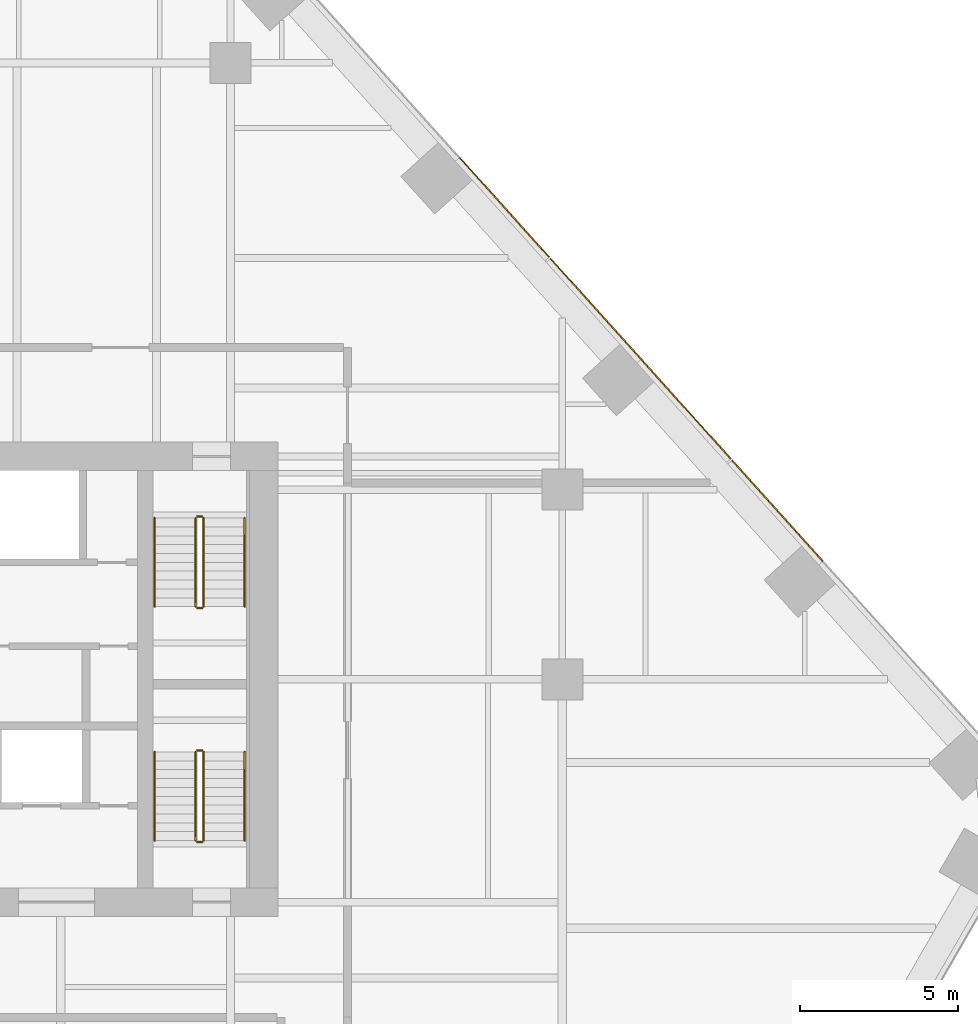
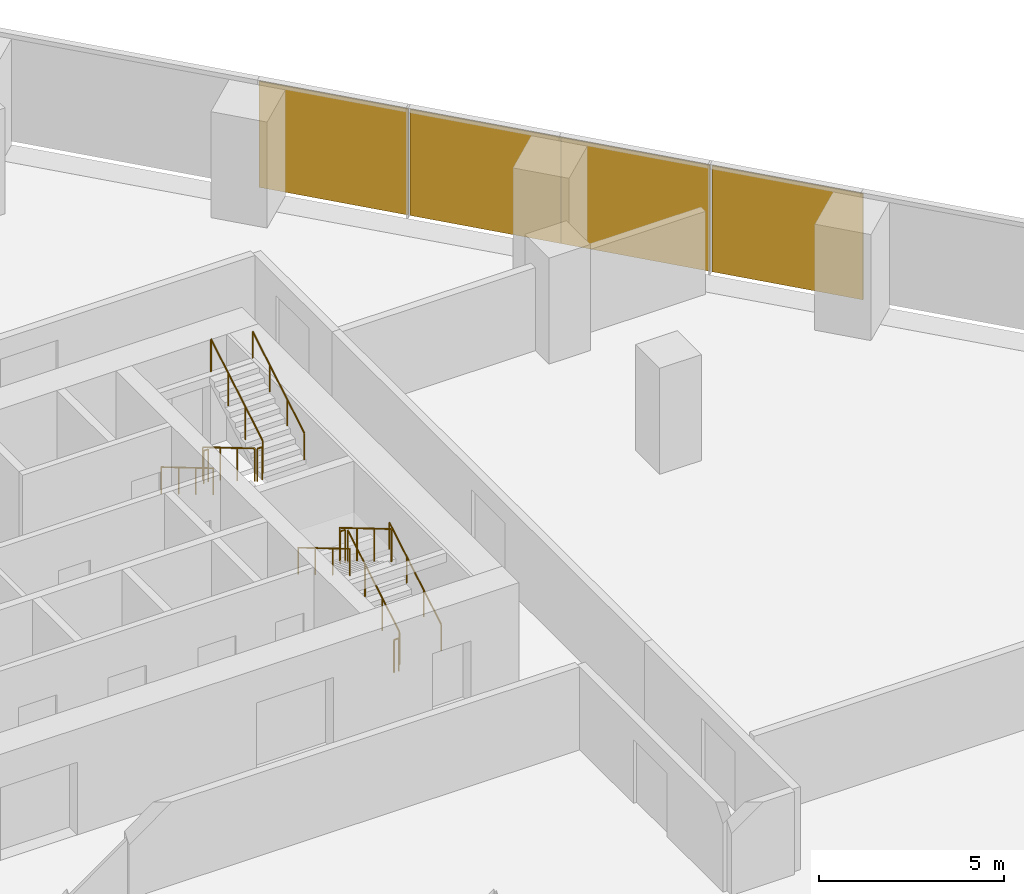
# One storey, part 19 of 19: 12 railings, 4 coverings, 1 element without a shape of its own.
"""IFC4 building model written with IfcOpenShell, lengths in metres."""

import ifcopenshell
import ifcopenshell.guid

model = None  # the IFC model being written
_history = None  # IfcOwnerHistory: only IFC2X3 demands one
_inside = {}  # id of a spatial element -> (the spatial element, [elements in it])
_under = {}  # id of a project, library or spatial element -> (it, [spatial elements below it])
_declared = {}  # id of a project -> (the project, [libraries it declares])
_typed = {}  # id of a type object -> (the type object, [elements of that type])
_made_of = {}  # id of a material, layer set ... -> (it, [elements and type objects made of it])


def new_model(schema):
    """Start an empty IFC model of exactly this schema.

    Asked for "IFC4X3", IfcOpenShell would pick the latest addendum, in which some entities
    have other attributes; the version numbers below select the first issue.
    IFC2X3 requires an IfcOwnerHistory on every rooted entity: one is made here for all.
    """
    global model, _history
    if schema == "IFC4X3":
        model = ifcopenshell.file(schema_version=(4, 3, 0, 0))
    else:
        model = ifcopenshell.file(schema=schema)
    _inside.clear()
    _under.clear()
    _declared.clear()
    _typed.clear()
    _made_of.clear()
    _history = None
    if model.schema == "IFC2X3":
        org = make("IfcOrganization", Name="unknown")
        user = make(
            "IfcPersonAndOrganization",
            ThePerson=make("IfcPerson", FamilyName="unknown"),
            TheOrganization=org,
        )
        app = make(
            "IfcApplication",
            ApplicationDeveloper=org,
            Version="unknown",
            ApplicationFullName="unknown",
            ApplicationIdentifier="unknown",
        )
        _history = make(
            "IfcOwnerHistory",
            OwningUser=user,
            OwningApplication=app,
            ChangeAction="ADDED",
            CreationDate=0,
        )
    return model


def make(cls, **values):
    """One entity of the class cls with the attributes given. An attribute that is None is left unset."""
    return model.create_entity(
        cls, **{name: value for name, value in values.items() if value is not None}
    )


def rooted(cls, **values):
    """An entity with a GlobalId (a new one), such as an element, a storey or a relation."""
    return make(cls, GlobalId=ifcopenshell.guid.new(), OwnerHistory=_history, **values)


def si_unit(unit_type, name, prefix=None):
    """IfcSIUnit, for example si_unit("LENGTHUNIT", "METRE", prefix="MILLI")."""
    return make("IfcSIUnit", UnitType=unit_type, Prefix=prefix, Name=name)


def assignment(units):
    """IfcUnitAssignment: the units of a project."""
    return None if units is None else make("IfcUnitAssignment", Units=units)


def point(xyz):
    """IfcCartesianPoint."""
    return None if xyz is None else make("IfcCartesianPoint", Coordinates=xyz)


def direction(xyz):
    """IfcDirection."""
    return None if xyz is None else make("IfcDirection", DirectionRatios=xyz)


def frame(location, z_axis=None, x_axis=None):
    """IfcAxis2Placement3D, a coordinate frame: its origin and axes. An axis left out is left unset."""
    return make(
        "IfcAxis2Placement3D",
        Location=point(location),
        Axis=direction(z_axis),
        RefDirection=direction(x_axis),
    )


def frame_2d(location, x_axis=None):
    """IfcAxis2Placement2D, a coordinate frame in the plane: its origin and x axis."""
    return make(
        "IfcAxis2Placement2D", Location=point(location), RefDirection=direction(x_axis)
    )


def origin():
    """The frame at (0, 0, 0) with its axes left unset."""
    return frame((0.0, 0.0, 0.0))


def origin_2d():
    """The frame at (0, 0) in the plane with its x axis left unset."""
    return frame_2d((0.0, 0.0))


def place(relative_to, where):
    """IfcLocalPlacement: puts the frame where relative to a parent placement (None: the world)."""
    return make(
        "IfcLocalPlacement", PlacementRelTo=relative_to, RelativePlacement=where
    )


def context(
    kind, dimensions, precision=None, world=None, true_north=None, identifier=None
):
    """IfcGeometricRepresentationContext, for example the 3D "Model" context."""
    return make(
        "IfcGeometricRepresentationContext",
        ContextIdentifier=identifier,
        ContextType=kind,
        CoordinateSpaceDimension=dimensions,
        Precision=precision,
        WorldCoordinateSystem=world,
        TrueNorth=true_north,
    )


def subcontext(parent, identifier, kind, view, scale=None):
    """IfcGeometricRepresentationSubContext, for example "Body" below "Model"."""
    return make(
        "IfcGeometricRepresentationSubContext",
        ContextIdentifier=identifier,
        ContextType=kind,
        ParentContext=parent,
        TargetScale=scale,
        TargetView=view,
    )


def project(units=None, contexts=None):
    """IfcProject with its units and contexts."""
    return rooted(
        "IfcProject",
        Name="project",
        RepresentationContexts=contexts,
        UnitsInContext=assignment(units),
    )


def spatial(cls, under=None, at=None, **own):
    """A site, building, storey or space (cls), placed at a placement, below another one or the project."""
    s = rooted(cls, ObjectPlacement=at, **own)
    if under is not None:
        _under.setdefault(under.id(), (under, []))[1].append(s)
    return s


def profile(cls, at=None, kind="AREA", **sizes):
    """A parametric profile (cls). Its sizes go by their IFC names, for example OverallWidth=200.0."""
    return make(cls, ProfileType=kind, Position=at, **sizes)


def rectangle(**sizes):
    """IfcRectangleProfileDef."""
    return profile("IfcRectangleProfileDef", **sizes)


def circle(**sizes):
    """IfcCircleProfileDef."""
    return profile("IfcCircleProfileDef", **sizes)


def extrude(swept, where, along, depth):
    """IfcExtrudedAreaSolid: the profile swept, set in the frame where, extruded along a direction by depth."""
    return make(
        "IfcExtrudedAreaSolid",
        SweptArea=swept,
        Position=where,
        ExtrudedDirection=direction(along),
        Depth=depth,
    )


def shape(context_of_items, identifier, shape_type, items):
    """IfcShapeRepresentation: the items that make up one representation, for example the "Body"."""
    return make(
        "IfcShapeRepresentation",
        ContextOfItems=context_of_items,
        RepresentationIdentifier=identifier,
        RepresentationType=shape_type,
        Items=items,
    )


def material(Name=None, Category=None):
    """IfcMaterial."""
    return make("IfcMaterial", Name=Name, Category=Category)


def layer(
    of_material, thickness, ventilated=None, Name=None, Category=None, Priority=None
):
    """IfcMaterialLayer: one layer of a wall or slab, of a material (None: an air gap)."""
    return make(
        "IfcMaterialLayer",
        Material=of_material,
        LayerThickness=thickness,
        IsVentilated=ventilated,
        Name=Name,
        Category=Category,
        Priority=Priority,
    )


def layer_set(layers, Name=None):
    """IfcMaterialLayerSet."""
    return make("IfcMaterialLayerSet", MaterialLayers=layers, LayerSetName=Name)


def made_of(thing, what):
    """Note that an element or type object is made of a material, layer set ...; save() writes the relation."""
    if what is not None:
        _made_of.setdefault(what.id(), (what, []))[1].append(thing)
    return thing


def type_object(cls, material=None, **own):
    """A type object (cls), such as IfcWallType, which elements share."""
    return made_of(rooted(cls, **own), material)


def element(
    cls,
    number,
    at=None,
    inside=None,
    cuts=None,
    type_object=None,
    material=None,
    context=None,
    identifier="Body",
    shape_type=None,
    held_by="IfcProductDefinitionShape",
    body=None,
    shapes=None,
    **own,
):
    """One element of the class cls, such as IfcWall. Its Tag is "e" and its number.

    at: its placement. inside: the storey or other place that contains it. cuts: it is an
    opening in that element (IfcRelVoidsElement). A single representation is given by context,
    identifier, shape_type and body (its items); several are given by shapes. held_by: the class
    of the entity that holds the representations. save() writes the other relations.
    """
    e = rooted(cls, Tag="e%d" % number, ObjectPlacement=at, **own)
    if body is not None:
        shapes = [shape(context, identifier, shape_type, body)]
    if shapes is not None:
        e.Representation = make(held_by, Representations=shapes)
    if inside is not None:
        _inside.setdefault(inside.id(), (inside, []))[1].append(e)
    if cuts is not None:
        rooted(
            "IfcRelVoidsElement", RelatingBuildingElement=cuts, RelatedOpeningElement=e
        )
    if type_object is not None:
        _typed.setdefault(type_object.id(), (type_object, []))[1].append(e)
    return made_of(e, material)


def aggregate(whole, parts):
    """IfcRelAggregates: a whole, such as a stair, and the parts it consists of."""
    return rooted("IfcRelAggregates", RelatingObject=whole, RelatedObjects=parts)


def save(model, path):
    """Write the relations noted so far, then the file.

    IfcRelAggregates (storeys below a building ...), IfcRelContainedInSpatialStructure (elements
    in a storey), IfcRelDefinesByType, IfcRelAssociatesMaterial and IfcRelDeclares: one each for
    every whole, place, type object, material and project.
    """
    for whole, parts in _under.values():
        aggregate(whole, parts)
    for where, things in _inside.values():
        rooted(
            "IfcRelContainedInSpatialStructure",
            RelatedElements=things,
            RelatingStructure=where,
        )
    for kind, things in _typed.values():
        rooted("IfcRelDefinesByType", RelatedObjects=things, RelatingType=kind)
    for what, things in _made_of.values():
        rooted("IfcRelAssociatesMaterial", RelatedObjects=things, RelatingMaterial=what)
    for by, libraries in _declared.values():
        rooted("IfcRelDeclares", RelatingContext=by, RelatedDefinitions=libraries)
    model.write(path)


model = new_model("IFC4")

# Units and contexts
model_context = context("Model", 3, precision=1e-05, world=origin(), true_north=direction((0.0, 1.0)))
body_context = subcontext(model_context, "Body", "Model", "MODEL_VIEW")
ifc_project = project(units=[si_unit("LENGTHUNIT", "METRE"), si_unit("AREAUNIT", "SQUARE_METRE"), si_unit("VOLUMEUNIT", "CUBIC_METRE"), si_unit("PLANEANGLEUNIT", "RADIAN"), si_unit("MASSUNIT", "GRAM", prefix="KILO")], contexts=[model_context])

# Site, building, storey
site_placement = place(None, origin())
site = spatial("IfcSite", under=ifc_project, at=site_placement, CompositionType="ELEMENT")
building_placement = place(site_placement, origin())
building = spatial("IfcBuilding", under=site, at=building_placement, Name="Isthmus Gate Tower", CompositionType="ELEMENT")
storey_placement = place(building_placement, frame((0.0, 0.0, 95.25)))
storey = spatial("IfcBuildingStorey", under=building, at=storey_placement, Name="L22", CompositionType="ELEMENT", Elevation=95.25)

# Curtain wall, coverings
ifc_material_1 = material(Name="Aluminium, pale champagne anodised", Category="aluminium")
ifc_layer_1 = layer(ifc_material_1, 0.199951171875)
ifc_layer_set_1 = layer_set([ifc_layer_1], Name="CW-1 UNITISED CURTAIN WALL 200 DEEP")
curtain_wall_type = type_object("IfcCurtainWallType", Name="CW-1 UNITISED CURTAIN WALL 200 DEEP", PredefinedType="NOTDEFINED", material=ifc_layer_set_1)
curtain_wall_placement = place(storey_placement, origin())
curtain_wall = element("IfcCurtainWall", 1, at=curtain_wall_placement, inside=storey, type_object=curtain_wall_type, Name="CW-1 NE L22", PredefinedType="NOTDEFINED")
ifc_material_2 = material(Name="Aluminium composite panel, pale champagne anodised", Category="aluminium")
ifc_layer_2 = layer(ifc_material_2, 0.0400390625)
ifc_layer_set_2 = layer_set([ifc_layer_2], Name="CW-1 PALE METAL PANEL 40")
covering_type = type_object("IfcCoveringType", Name="CW-1 PALE METAL PANEL 40", PredefinedType="CLADDING", material=ifc_layer_set_2)
covering_1_placement = place(storey_placement, frame((30.80419921875, 12.835693359375, 0.0), z_axis=(0.0, 0.0, 1.0), x_axis=(-0.669130606359, 0.743144825477, 0.0)))
covering_1 = element("IfcCovering", 2, at=covering_1_placement, type_object=covering_type, Name="CW-1 pale metal panel", PredefinedType="CLADDING", context=body_context, shape_type="SweptSolid", body=[
    extrude(rectangle(XDim=4.294677734375, YDim=0.0400390625, at=origin_2d()), origin(), (0.0, 0.0, 1.0), 3.5),
])
covering_2_placement = place(storey_placement, frame((27.910400390625, 16.049560546875, 0.0), z_axis=(0.0, 0.0, 1.0), x_axis=(-0.669130606359, 0.743144825477, 0.0)))
covering_2 = element("IfcCovering", 3, at=covering_2_placement, type_object=covering_type, Name="CW-1 pale metal panel", PredefinedType="CLADDING", context=body_context, shape_type="SweptSolid", body=[
    extrude(rectangle(XDim=4.234619140625, YDim=0.0400390625, at=origin_2d()), origin(), (0.0, 0.0, 1.0), 3.5),
])
covering_3_placement = place(storey_placement, frame((25.056884765625, 19.21875, 0.0), z_axis=(0.0, 0.0, 1.0), x_axis=(-0.669130606359, 0.743144825477, 0.0)))
covering_3 = element("IfcCovering", 4, at=covering_3_placement, type_object=covering_type, Name="CW-1 pale metal panel", PredefinedType="CLADDING", context=body_context, shape_type="SweptSolid", body=[
    extrude(rectangle(XDim=4.294677734375, YDim=0.0400390625, at=origin_2d()), origin(), (0.0, 0.0, 1.0), 3.5),
])
covering_4_placement = place(storey_placement, frame((22.1630859375, 22.4326171875, 0.0), z_axis=(0.0, 0.0, 1.0), x_axis=(-0.669130606359, 0.743144825477, 0.0)))
covering_4 = element("IfcCovering", 5, at=covering_4_placement, type_object=covering_type, Name="CW-1 pale metal panel", PredefinedType="CLADDING", context=body_context, shape_type="SweptSolid", body=[
    extrude(rectangle(XDim=4.234619140625, YDim=0.0400390625, at=origin_2d()), origin(), (0.0, 0.0, 1.0), 3.5),
])
aggregate(curtain_wall, [covering_1, covering_2, covering_3, covering_4])

# Railings
ifc_material_3 = material(Name="Stainless steel balustrade", Category="steel")
railing_type_1 = type_object("IfcRailingType", Name="STAIR GUARD 1100", PredefinedType="GUARDRAIL", material=ifc_material_3)
railing_1_placement = place(storey_placement, frame((12.39990234375, 12.60009765625, 0.166015625)))
element("IfcRailing", 6, at=railing_1_placement, inside=storey, type_object=railing_type_1, Name="L22 ST2 stair guard 1", PredefinedType="GUARDRAIL", context=body_context, shape_type="SweptSolid", body=[
    extrude(circle(Radius=0.02392578125, at=origin_2d()), frame((0.0, 0.0, 1.076171875), z_axis=(0.0, -0.860339051648, 0.50972219513), x_axis=(1.0, 0.0, 0.0)), (0.0, 0.0, 1.0), 3.254638671875),
    extrude(circle(Radius=0.02099609375, at=origin_2d()), origin(), (0.0, 0.0, 1.0), 1.052001953125),
    extrude(circle(Radius=0.02099609375, at=origin_2d()), frame((0.0, -0.933349609375, 0.552978515625)), (0.0, 0.0, 1.0), 1.052001953125),
    extrude(circle(Radius=0.02099609375, at=origin_2d()), frame((0.0, -1.86669921875, 1.10595703125)), (0.0, 0.0, 1.0), 1.052001953125),
    extrude(circle(Radius=0.02099609375, at=origin_2d()), frame((0.0, -2.800048828125, 1.658935546875)), (0.0, 0.0, 1.0), 1.052001953125),
])
railing_2_placement = place(storey_placement, frame((12.449951171875, 9.75, 1.824951171875)))
element("IfcRailing", 7, at=railing_2_placement, inside=storey, type_object=railing_type_1, Name="L22 ST2 stair guard 2", PredefinedType="GUARDRAIL", context=body_context, shape_type="SweptSolid", body=[
    extrude(circle(Radius=0.02392578125, at=origin_2d()), frame((0.0, 0.0, 1.076171875), z_axis=(1.0, 0.0, 0.0), x_axis=(0.0, 1.0, 0.0)), (0.0, 0.0, 1.0), 0.150146484375),
    extrude(circle(Radius=0.02099609375, at=origin_2d()), origin(), (0.0, 0.0, 1.0), 1.052001953125),
    extrude(circle(Radius=0.02099609375, at=origin_2d()), frame((0.150146484375, 0.0, 0.0)), (0.0, 0.0, 1.0), 1.052001953125),
])
railing_3_placement = place(storey_placement, frame((12.64990234375, 9.800048828125, 1.990966796875)))
element("IfcRailing", 8, at=railing_3_placement, inside=storey, type_object=railing_type_1, Name="L22 ST2 stair guard 3", PredefinedType="GUARDRAIL", context=body_context, shape_type="SweptSolid", body=[
    extrude(circle(Radius=0.02392578125, at=origin_2d()), frame((0.0, 0.0, 1.076171875), z_axis=(0.0, 0.860339051648, 0.50972219513), x_axis=(-1.0, 0.0, 0.0)), (0.0, 0.0, 1.0), 3.254638671875),
    extrude(circle(Radius=0.02099609375, at=origin_2d()), origin(), (0.0, 0.0, 1.0), 1.052001953125),
    extrude(circle(Radius=0.02099609375, at=origin_2d()), frame((0.0, 0.933349609375, 0.552978515625)), (0.0, 0.0, 1.0), 1.052001953125),
    extrude(circle(Radius=0.02099609375, at=origin_2d()), frame((0.0, 1.86669921875, 1.10595703125)), (0.0, 0.0, 1.0), 1.052001953125),
    extrude(circle(Radius=0.02099609375, at=origin_2d()), frame((0.0, 2.800048828125, 1.658935546875)), (0.0, 0.0, 1.0), 1.052001953125),
])
railing_4_placement = place(storey_placement, frame((12.449951171875, 12.64990234375, 0.0)))
element("IfcRailing", 9, at=railing_4_placement, inside=storey, type_object=railing_type_1, Name="L22 ST2 stair guard 4", PredefinedType="GUARDRAIL", context=body_context, shape_type="SweptSolid", body=[
    extrude(circle(Radius=0.02392578125, at=origin_2d()), frame((0.0, 0.0, 1.076171875), z_axis=(1.0, 0.0, 0.0), x_axis=(0.0, 1.0, 0.0)), (0.0, 0.0, 1.0), 0.150146484375),
    extrude(circle(Radius=0.02099609375, at=origin_2d()), origin(), (0.0, 0.0, 1.0), 1.052001953125),
    extrude(circle(Radius=0.02099609375, at=origin_2d()), frame((0.150146484375, 0.0, 0.0)), (0.0, 0.0, 1.0), 1.052001953125),
])
railing_5_placement = place(storey_placement, frame((12.64990234375, 2.39990234375, 0.166015625)))
element("IfcRailing", 10, at=railing_5_placement, inside=storey, type_object=railing_type_1, Name="L22 ST8 stair guard 1", PredefinedType="GUARDRAIL", context=body_context, shape_type="SweptSolid", body=[
    extrude(circle(Radius=0.02392578125, at=origin_2d()), frame((0.0, 0.0, 1.076171875), z_axis=(0.0, 0.860339051648, 0.50972219513), x_axis=(-1.0, 0.0, 0.0)), (0.0, 0.0, 1.0), 3.254638671875),
    extrude(circle(Radius=0.02099609375, at=origin_2d()), origin(), (0.0, 0.0, 1.0), 1.052001953125),
    extrude(circle(Radius=0.02099609375, at=origin_2d()), frame((0.0, 0.933349609375, 0.552978515625)), (0.0, 0.0, 1.0), 1.052001953125),
    extrude(circle(Radius=0.02099609375, at=origin_2d()), frame((0.0, 1.86669921875, 1.10595703125)), (0.0, 0.0, 1.0), 1.052001953125),
    extrude(circle(Radius=0.02099609375, at=origin_2d()), frame((0.0, 2.800048828125, 1.658935546875)), (0.0, 0.0, 1.0), 1.052001953125),
])
railing_6_placement = place(storey_placement, frame((12.60009765625, 5.25, 1.824951171875)))
element("IfcRailing", 11, at=railing_6_placement, inside=storey, type_object=railing_type_1, Name="L22 ST8 stair guard 2", PredefinedType="GUARDRAIL", context=body_context, shape_type="SweptSolid", body=[
    extrude(circle(Radius=0.02392578125, at=origin_2d()), frame((0.0, 0.0, 1.076171875), z_axis=(-1.0, 0.0, 0.0), x_axis=(0.0, -1.0, 0.0)), (0.0, 0.0, 1.0), 0.150146484375),
    extrude(circle(Radius=0.02099609375, at=origin_2d()), origin(), (0.0, 0.0, 1.0), 1.052001953125),
    extrude(circle(Radius=0.02099609375, at=origin_2d()), frame((-0.150146484375, 0.0, 0.0)), (0.0, 0.0, 1.0), 1.052001953125),
])
railing_7_placement = place(storey_placement, frame((12.39990234375, 5.199951171875, 1.990966796875)))
element("IfcRailing", 12, at=railing_7_placement, inside=storey, type_object=railing_type_1, Name="L22 ST8 stair guard 3", PredefinedType="GUARDRAIL", context=body_context, shape_type="SweptSolid", body=[
    extrude(circle(Radius=0.02392578125, at=origin_2d()), frame((0.0, 0.0, 1.076171875), z_axis=(0.0, -0.860339051648, 0.50972219513), x_axis=(1.0, 0.0, 0.0)), (0.0, 0.0, 1.0), 3.254638671875),
    extrude(circle(Radius=0.02099609375, at=origin_2d()), origin(), (0.0, 0.0, 1.0), 1.052001953125),
    extrude(circle(Radius=0.02099609375, at=origin_2d()), frame((0.0, -0.933349609375, 0.552978515625)), (0.0, 0.0, 1.0), 1.052001953125),
    extrude(circle(Radius=0.02099609375, at=origin_2d()), frame((0.0, -1.86669921875, 1.10595703125)), (0.0, 0.0, 1.0), 1.052001953125),
    extrude(circle(Radius=0.02099609375, at=origin_2d()), frame((0.0, -2.800048828125, 1.658935546875)), (0.0, 0.0, 1.0), 1.052001953125),
])
railing_8_placement = place(storey_placement, frame((12.60009765625, 2.35009765625, 0.0)))
element("IfcRailing", 13, at=railing_8_placement, inside=storey, type_object=railing_type_1, Name="L22 ST8 stair guard 4", PredefinedType="GUARDRAIL", context=body_context, shape_type="SweptSolid", body=[
    extrude(circle(Radius=0.02392578125, at=origin_2d()), frame((0.0, 0.0, 1.076171875), z_axis=(-1.0, 0.0, 0.0), x_axis=(0.0, -1.0, 0.0)), (0.0, 0.0, 1.0), 0.150146484375),
    extrude(circle(Radius=0.02099609375, at=origin_2d()), origin(), (0.0, 0.0, 1.0), 1.052001953125),
    extrude(circle(Radius=0.02099609375, at=origin_2d()), frame((-0.150146484375, 0.0, 0.0)), (0.0, 0.0, 1.0), 1.052001953125),
])
ifc_material_4 = material(Name="Stainless steel handrail", Category="steel")
railing_type_2 = type_object("IfcRailingType", Name="STAIR HANDRAIL 900", PredefinedType="HANDRAIL", material=ifc_material_4)
railing_9_placement = place(storey_placement, frame((11.10009765625, 12.60009765625, 0.166015625)))
element("IfcRailing", 14, at=railing_9_placement, inside=storey, type_object=railing_type_2, Name="L22 ST2 stair handrail 1", PredefinedType="HANDRAIL", context=body_context, shape_type="SweptSolid", body=[
    extrude(circle(Radius=0.02392578125, at=origin_2d()), frame((0.0, 0.0, 0.8759765625), z_axis=(0.0, -0.860339051648, 0.50972219513), x_axis=(1.0, 0.0, 0.0)), (0.0, 0.0, 1.0), 3.254638671875),
    extrude(circle(Radius=0.02099609375, at=origin_2d()), origin(), (0.0, 0.0, 1.0), 0.851806640625),
    extrude(circle(Radius=0.02099609375, at=origin_2d()), frame((0.0, -0.933349609375, 0.552978515625)), (0.0, 0.0, 1.0), 0.851806640625),
    extrude(circle(Radius=0.02099609375, at=origin_2d()), frame((0.0, -1.86669921875, 1.10595703125)), (0.0, 0.0, 1.0), 0.851806640625),
    extrude(circle(Radius=0.02099609375, at=origin_2d()), frame((0.0, -2.800048828125, 1.658935546875)), (0.0, 0.0, 1.0), 0.851806640625),
])
for number, where, name in (
    (15, (13.949951171875, 9.800048828125, 1.990966796875), "L22 ST2 stair handrail 2"),
    (16, (13.949951171875, 2.39990234375, 0.166015625), "L22 ST8 stair handrail 1"),
):
    element("IfcRailing", number, at=place(storey_placement, frame(where)), inside=storey, type_object=railing_type_2, Name=name, PredefinedType="HANDRAIL", context=body_context, shape_type="SweptSolid", body=[
        extrude(circle(Radius=0.02392578125, at=origin_2d()), frame((0.0, 0.0, 0.8759765625), z_axis=(0.0, 0.860339051648, 0.50972219513), x_axis=(-1.0, 0.0, 0.0)), (0.0, 0.0, 1.0), 3.254638671875),
        extrude(circle(Radius=0.02099609375, at=origin_2d()), origin(), (0.0, 0.0, 1.0), 0.851806640625),
        extrude(circle(Radius=0.02099609375, at=origin_2d()), frame((0.0, 0.933349609375, 0.552978515625)), (0.0, 0.0, 1.0), 0.851806640625),
        extrude(circle(Radius=0.02099609375, at=origin_2d()), frame((0.0, 1.86669921875, 1.10595703125)), (0.0, 0.0, 1.0), 0.851806640625),
        extrude(circle(Radius=0.02099609375, at=origin_2d()), frame((0.0, 2.800048828125, 1.658935546875)), (0.0, 0.0, 1.0), 0.851806640625),
    ])
railing_10_placement = place(storey_placement, frame((11.10009765625, 5.199951171875, 1.990966796875)))
element("IfcRailing", 17, at=railing_10_placement, inside=storey, type_object=railing_type_2, Name="L22 ST8 stair handrail 2", PredefinedType="HANDRAIL", context=body_context, shape_type="SweptSolid", body=[
    extrude(circle(Radius=0.02392578125, at=origin_2d()), frame((0.0, 0.0, 0.8759765625), z_axis=(0.0, -0.860339051648, 0.50972219513), x_axis=(1.0, 0.0, 0.0)), (0.0, 0.0, 1.0), 3.254638671875),
    extrude(circle(Radius=0.02099609375, at=origin_2d()), origin(), (0.0, 0.0, 1.0), 0.851806640625),
    extrude(circle(Radius=0.02099609375, at=origin_2d()), frame((0.0, -0.933349609375, 0.552978515625)), (0.0, 0.0, 1.0), 0.851806640625),
    extrude(circle(Radius=0.02099609375, at=origin_2d()), frame((0.0, -1.86669921875, 1.10595703125)), (0.0, 0.0, 1.0), 0.851806640625),
    extrude(circle(Radius=0.02099609375, at=origin_2d()), frame((0.0, -2.800048828125, 1.658935546875)), (0.0, 0.0, 1.0), 0.851806640625),
])

save(model, "model.ifc")
